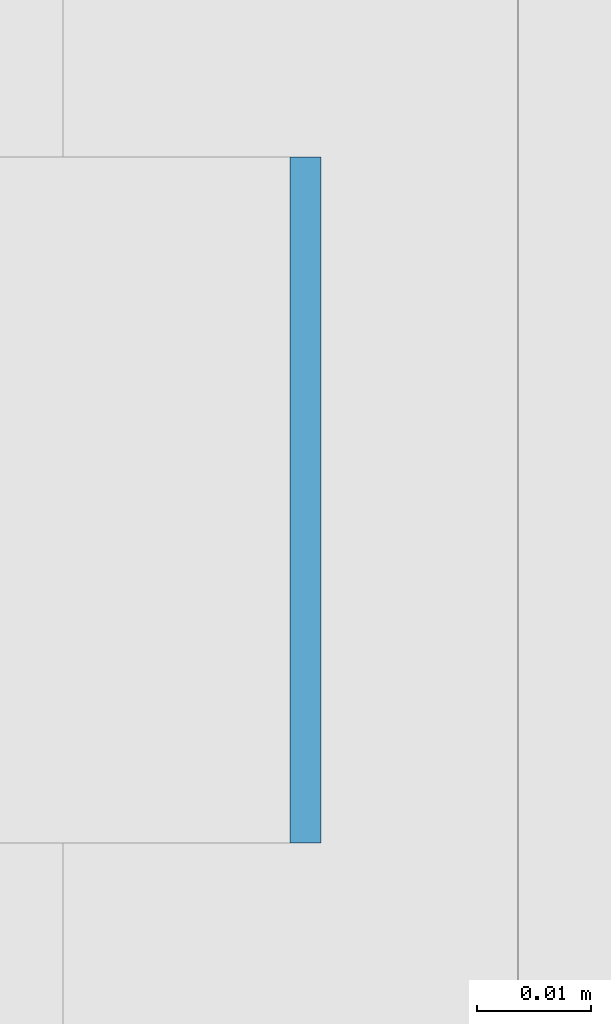
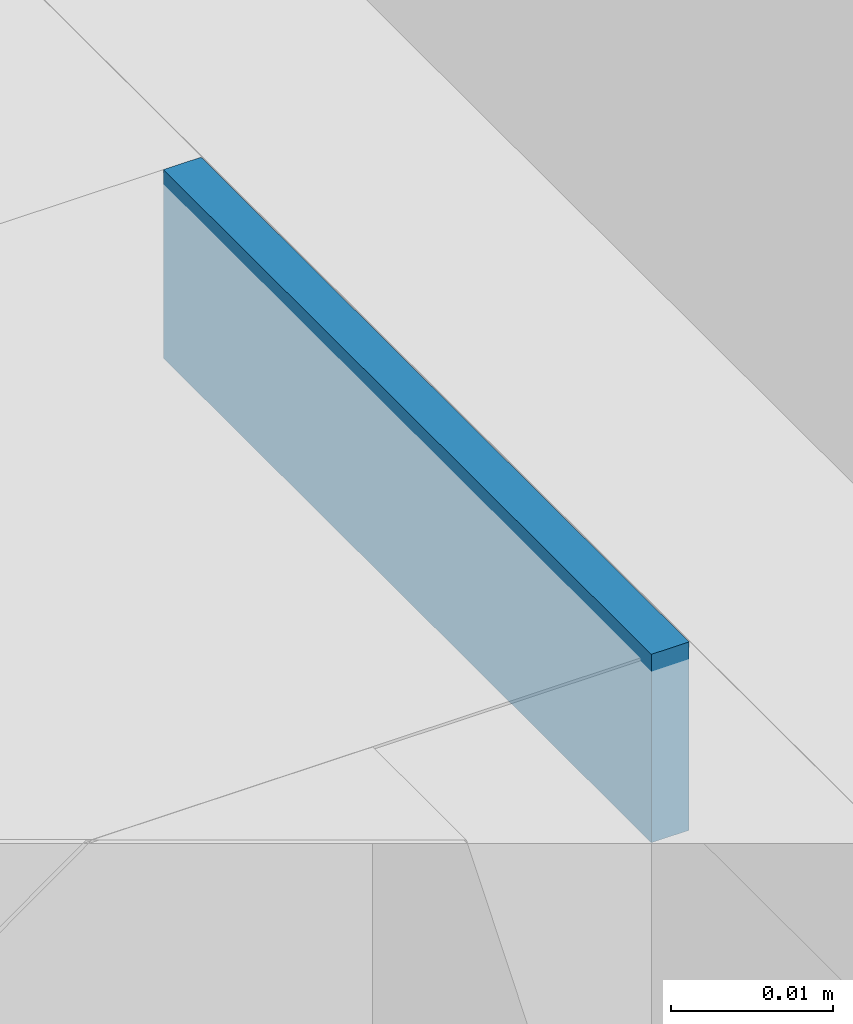
# One storey, part 345 of 646: 1 discrete accessory.
"""IFC4 building model written with IfcOpenShell, lengths in metres."""

from ifc_helpers import new_model, si_unit, direction, frame, origin, origin_2d, place, context, subcontext, project, spatial, rectangle, extrude, material, type_object, element, save


model = new_model("IFC4")

# Units and contexts
model_context = context("Model", 3, precision=1e-05, world=origin(), true_north=direction((0.0, 1.0)))
body_context = subcontext(model_context, "Body", "Model", "MODEL_VIEW")
ifc_project = project(units=[si_unit("LENGTHUNIT", "METRE"), si_unit("AREAUNIT", "SQUARE_METRE"), si_unit("VOLUMEUNIT", "CUBIC_METRE"), si_unit("PLANEANGLEUNIT", "RADIAN"), si_unit("MASSUNIT", "GRAM", prefix="KILO")], contexts=[model_context])

# Site, building, storey
site_placement = place(None, origin())
site = spatial("IfcSite", under=ifc_project, at=site_placement, CompositionType="ELEMENT")
building_placement = place(site_placement, origin())
building = spatial("IfcBuilding", under=site, at=building_placement, Name="Silverbay Arena", CompositionType="ELEMENT")
storey_placement = place(building_placement, frame((0.0, 0.0, 33.5)))
storey = spatial("IfcBuildingStorey", under=building, at=storey_placement, Name="L05", CompositionType="ELEMENT", Elevation=33.5)

# Discrete accessory
ifc_material = material(Name="Steel S355", Category="steel")
discrete_accessory_type = type_object("IfcDiscreteAccessoryType", Name="Steel bracket plate", PredefinedType="BRACKET", material=ifc_material)
discrete_accessory_placement = place(storey_placement, frame((53.871337890625, 88.71435546875, 12.98583984375), z_axis=(0.0, 0.0, 1.0), x_axis=(1.0, 0.0, 0.0)))
element("IfcDiscreteAccessory", 1, at=discrete_accessory_placement, inside=storey, type_object=discrete_accessory_type, Name="Curtain wall packing plate", PredefinedType="BRACKET", context=body_context, shape_type="SweptSolid", body=[
    extrude(rectangle(XDim=0.002685546875, YDim=0.06005859375, at=origin_2d()), origin(), (0.0, 0.0, 1.0), 0.01416015625),
])

save(model, "model.ifc")
